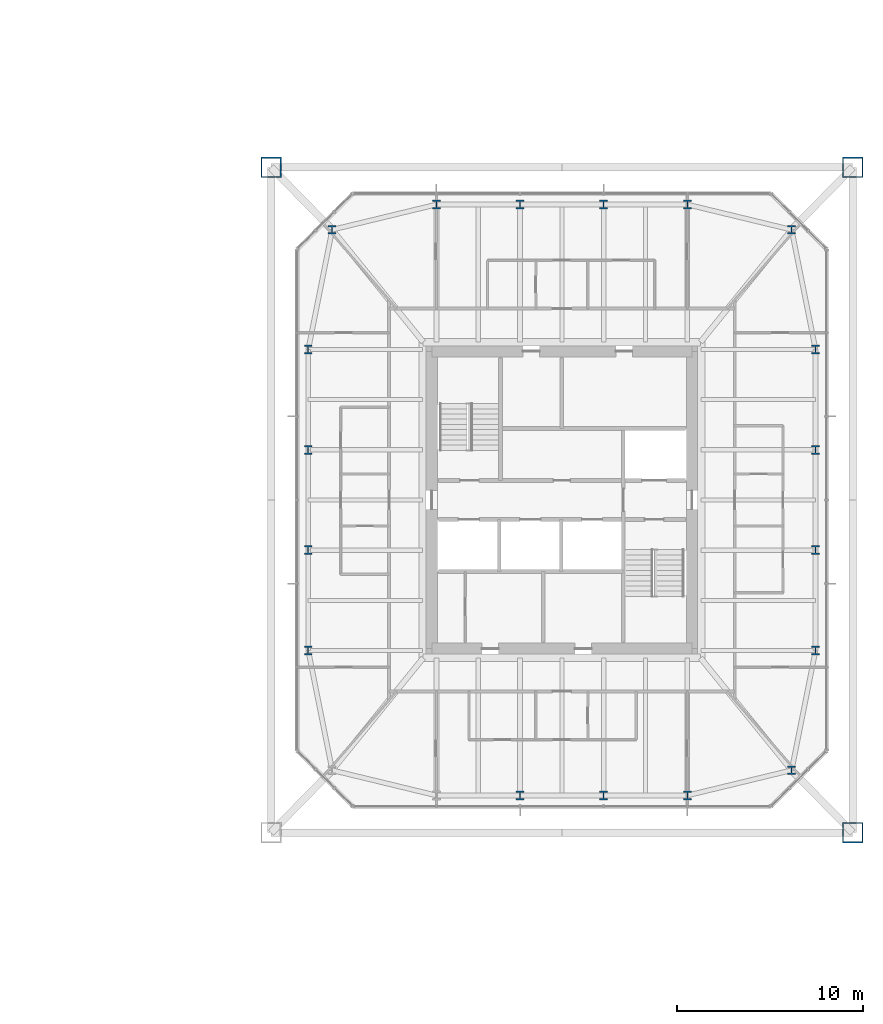
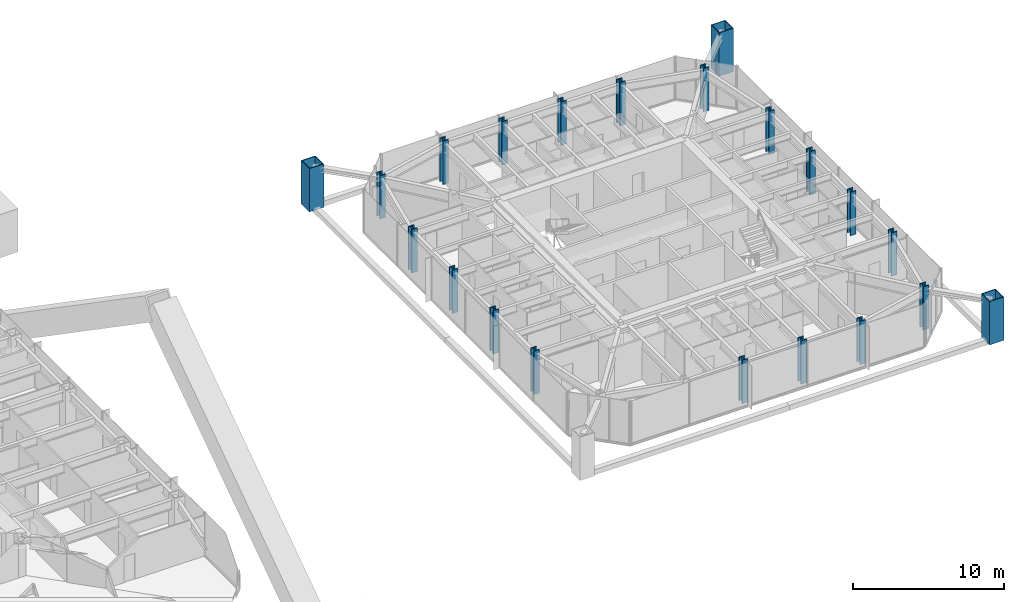
# One storey, part 2 of 26: 21 columns.
"""IFC4 building model written with IfcOpenShell, lengths in metres."""

from ifc_helpers import new_model, si_unit, direction, frame, origin, origin_2d, place, context, subcontext, project, spatial, hollow_rectangle, i_section, extrude, material, material_profile, profile_set, type_object, element, save


model = new_model("IFC4")

# Units and contexts
model_context = context("Model", 3, precision=1e-05, world=origin(), true_north=direction((0.0, 1.0)))
body_context = subcontext(model_context, "Body", "Model", "MODEL_VIEW")
ifc_project = project(units=[si_unit("LENGTHUNIT", "METRE"), si_unit("AREAUNIT", "SQUARE_METRE"), si_unit("VOLUMEUNIT", "CUBIC_METRE"), si_unit("PLANEANGLEUNIT", "RADIAN"), si_unit("MASSUNIT", "GRAM", prefix="KILO")], contexts=[model_context])

# Site, building, storey
site_placement = place(None, origin())
site = spatial("IfcSite", under=ifc_project, at=site_placement, CompositionType="ELEMENT")
building_placement = place(site_placement, origin())
building = spatial("IfcBuilding", under=site, at=building_placement, Name="Iwan Alto Co-Living Towers", CompositionType="ELEMENT")
storey_placement = place(building_placement, frame((0.0, 0.0, 115.5)))
storey = spatial("IfcBuildingStorey", under=building, at=storey_placement, Name="L31", CompositionType="ELEMENT", Elevation=115.5)

# Columns
ifc_material_1 = material(Name="Steel ASTM A572 Gr 50", Category="steel")
ifc_material_profile_1 = material_profile(ifc_material_1, hollow_rectangle(XDim=1.10009765625, YDim=1.10009765625, WallThickness=0.06005859375, at=origin_2d()), Name="BOX 1100X1100X60")
ifc_profile_set_1 = profile_set([ifc_material_profile_1], Name="Steel ASTM A572 Gr 50")
column_type_1 = type_object("IfcColumnType", Name="T2 MEGA COLUMN BOX 1100X1100X60", PredefinedType="COLUMN", material=ifc_profile_set_1)
for number, where, z_axis, x_axis, name in (
    (1, (78.64990234375, -17.89990234375, 0.0), (0.0, 0.0, 1.0), (1.0, 0.0, 0.0), "T2 mega column SE L31"),
    (2, (78.64990234375, 17.89990234375, 0.0), (0.0, 0.0, 1.0), (1.0, 0.0, 0.0), "T2 mega column NE L31"),
    (3, (47.35009765625, 17.89990234375, 0.0), (0.0, 0.0, 1.0), (1.0, 0.0, 0.0), "T2 mega column NW L31"),
):
    element("IfcColumn", number, at=place(storey_placement, frame(where, z_axis=z_axis, x_axis=x_axis)), inside=storey, type_object=column_type_1, Name=name, PredefinedType="COLUMN", context=body_context, shape_type="SweptSolid", body=[
        extrude(hollow_rectangle(XDim=1.10009765625, YDim=1.10009765625, WallThickness=0.06005859375, at=origin_2d()), origin(), (0.0, 0.0, 1.0), 3.5),
    ])
ifc_material_2 = material(Name="Steel ASTM A992 Gr 50", Category="steel")
ifc_material_profile_2 = material_profile(ifc_material_2, i_section(OverallWidth=0.4267578125, OverallDepth=0.482666015625, WebThickness=0.05126953125, FlangeThickness=0.08154296875, at=origin_2d()), Name="W14X455")
ifc_profile_set_2 = profile_set([ifc_material_profile_2], Name="Steel ASTM A992 Gr 50")
column_type_2 = type_object("IfcColumnType", Name="T2 RING COLUMN W14X455", PredefinedType="COLUMN", material=ifc_profile_set_2)
for number, where, z_axis, x_axis, name in (
    (4, (60.75, -15.89990234375, 0.0), (0.0, 0.0, 1.0), (1.0, 0.0, 0.0), "T2 ring column S2 L31"),
    (5, (65.25, -15.89990234375, 0.0), (0.0, 0.0, 1.0), (1.0, 0.0, 0.0), "T2 ring column S3 L31"),
    (6, (69.75, -15.89990234375, 0.0), (0.0, 0.0, 1.0), (1.0, 0.0, 0.0), "T2 ring column S4 L31"),
    (7, (75.361328125, -14.542724609375, 0.0), (0.0, 0.0, 1.0), (1.0, 0.0, 0.0), "T2 ring column CSE L31"),
    (8, (76.64990234375, -8.10009765625, 0.0), (0.0, 0.0, 1.0), (1.0, 0.0, 0.0), "T2 ring column E1 L31"),
    (9, (76.64990234375, -2.699951171875, 0.0), (0.0, 0.0, 1.0), (1.0, 0.0, 0.0), "T2 ring column E2 L31"),
    (10, (76.64990234375, 2.699951171875, 0.0), (0.0, 0.0, 1.0), (1.0, 0.0, 0.0), "T2 ring column E3 L31"),
    (11, (76.64990234375, 8.10009765625, 0.0), (0.0, 0.0, 1.0), (1.0, 0.0, 0.0), "T2 ring column E4 L31"),
    (12, (75.361328125, 14.542724609375, 0.0), (0.0, 0.0, 1.0), (1.0, 0.0, 0.0), "T2 ring column CNE L31"),
    (13, (69.75, 15.89990234375, 0.0), (0.0, 0.0, 1.0), (1.0, 0.0, 0.0), "T2 ring column N1 L31"),
    (14, (65.25, 15.89990234375, 0.0), (0.0, 0.0, 1.0), (1.0, 0.0, 0.0), "T2 ring column N2 L31"),
    (15, (60.75, 15.89990234375, 0.0), (0.0, 0.0, 1.0), (1.0, 0.0, 0.0), "T2 ring column N3 L31"),
    (16, (56.25, 15.89990234375, 0.0), (0.0, 0.0, 1.0), (1.0, 0.0, 0.0), "T2 ring column N4 L31"),
    (17, (50.638671875, 14.542724609375, 0.0), (0.0, 0.0, 1.0), (1.0, 0.0, 0.0), "T2 ring column CNW L31"),
    (18, (49.35009765625, 8.10009765625, 0.0), (0.0, 0.0, 1.0), (1.0, 0.0, 0.0), "T2 ring column W1 L31"),
    (19, (49.35009765625, 2.699951171875, 0.0), (0.0, 0.0, 1.0), (1.0, 0.0, 0.0), "T2 ring column W2 L31"),
    (20, (49.35009765625, -2.699951171875, 0.0), (0.0, 0.0, 1.0), (1.0, 0.0, 0.0), "T2 ring column W3 L31"),
    (21, (49.35009765625, -8.10009765625, 0.0), (0.0, 0.0, 1.0), (1.0, 0.0, 0.0), "T2 ring column W4 L31"),
):
    element("IfcColumn", number, at=place(storey_placement, frame(where, z_axis=z_axis, x_axis=x_axis)), inside=storey, type_object=column_type_2, Name=name, PredefinedType="COLUMN", context=body_context, shape_type="SweptSolid", body=[
        extrude(i_section(OverallWidth=0.4267578125, OverallDepth=0.482666015625, WebThickness=0.05126953125, FlangeThickness=0.08154296875, at=origin_2d()), origin(), (0.0, 0.0, 1.0), 3.5),
    ])

save(model, "model.ifc")
